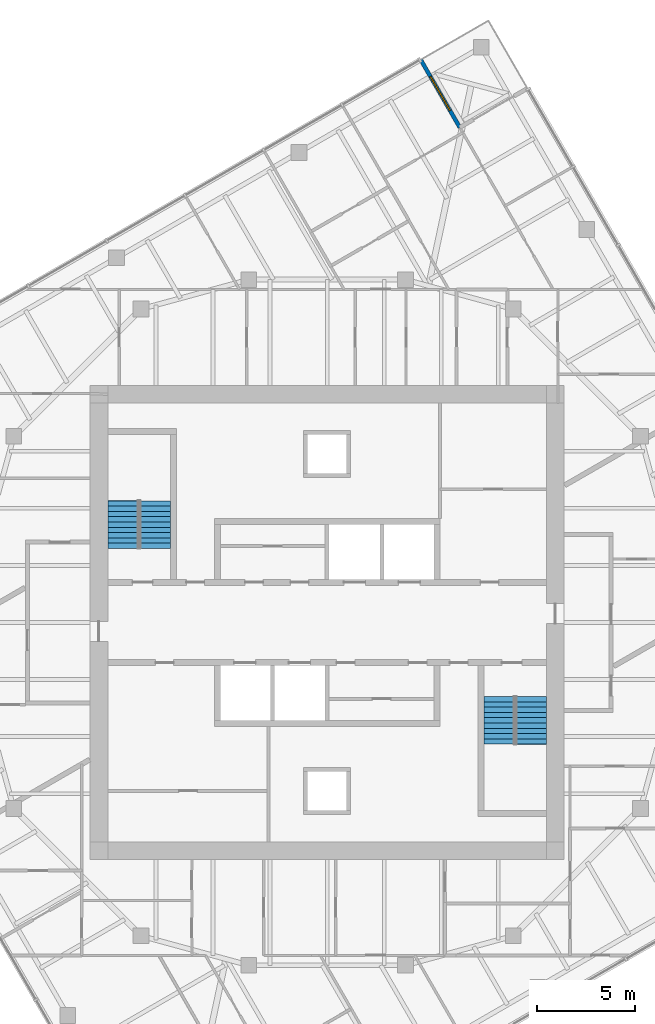
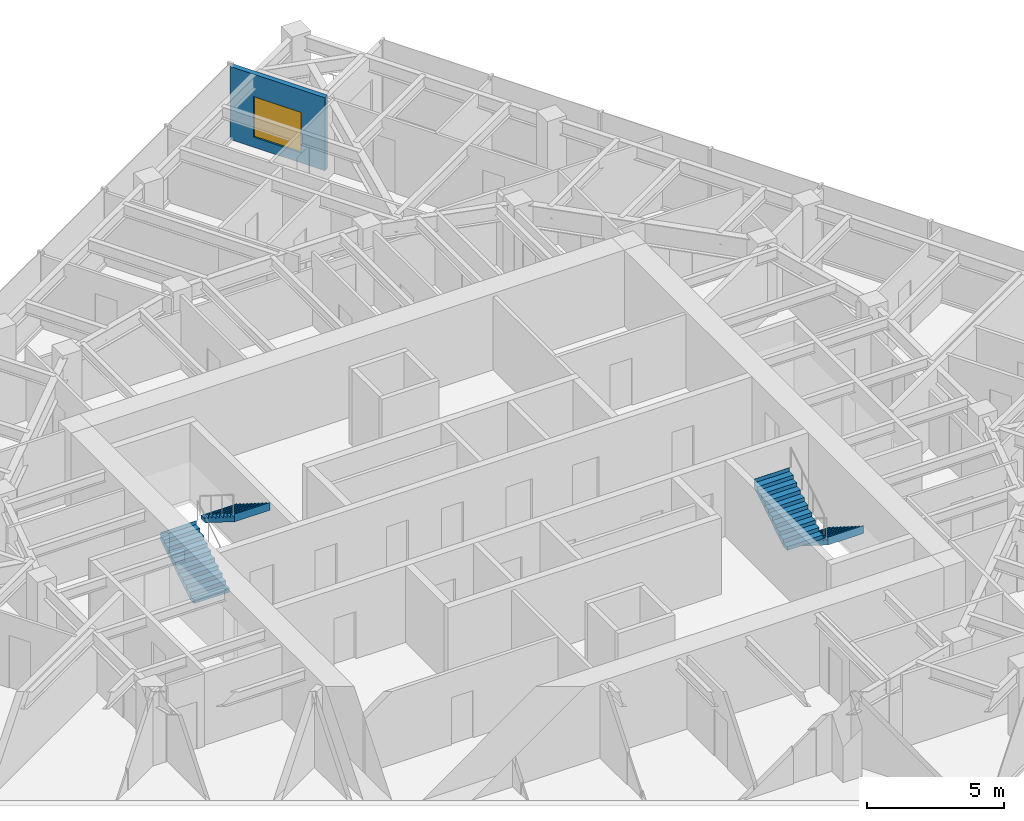
# One storey, part 12 of 13: 4 stair flights, 1 wall, 1 window, 1 opening, 2 elements without a shape of their own.
"""IFC4 building model written with IfcOpenShell, lengths in metres."""

from ifc_helpers import new_model, si_unit, direction, frame, frame_2d, origin, place, context, subcontext, project, spatial, polyline, rectangle, outline, extrude, material, layer, layer_set, type_object, element, fill, aggregate, save


model = new_model("IFC4")

# Units and contexts
model_context = context("Model", 3, precision=1e-05, world=origin(), true_north=direction((0.0, 1.0)))
body_context = subcontext(model_context, "Body", "Model", "MODEL_VIEW")
ifc_project = project(units=[si_unit("LENGTHUNIT", "METRE"), si_unit("AREAUNIT", "SQUARE_METRE"), si_unit("VOLUMEUNIT", "CUBIC_METRE"), si_unit("PLANEANGLEUNIT", "RADIAN"), si_unit("MASSUNIT", "GRAM", prefix="KILO")], contexts=[model_context])

# Site, building, storey
site_placement = place(None, origin())
site = spatial("IfcSite", under=ifc_project, at=site_placement, CompositionType="ELEMENT")
building_placement = place(site_placement, origin())
building = spatial("IfcBuilding", under=site, at=building_placement, Name="Torsade Residences", CompositionType="ELEMENT")
storey_placement = place(building_placement, frame((0.0, 0.0, 215.0)))
storey = spatial("IfcBuildingStorey", under=building, at=storey_placement, Name="L59", CompositionType="ELEMENT", Elevation=215.0)

# Wall, opening, window
ifc_material_1 = material(Name="Stone-faced precast concrete 40 MPa panel", Category="masonry")
ifc_layer = layer(ifc_material_1, 0.199951171875)
ifc_layer_set = layer_set([ifc_layer], Name="Stone-faced precast concrete 40 MPa panel")
wall_type = type_object("IfcWallType", Name="TERRACE WALL 200", PredefinedType="SOLIDWALL", material=ifc_layer_set)
wall_placement = place(storey_placement, frame((46.771484375, 55.271484375, 0.0), z_axis=(0.0, 0.0, 1.0), x_axis=(-0.49999894854, 0.866026010844, 0.0)))
wall = element("IfcWall", 1, at=wall_placement, inside=storey, type_object=wall_type, Name="Terrace wall L59 6", PredefinedType="SOLIDWALL", context=body_context, shape_type="SweptSolid", body=[
    extrude(rectangle(XDim=4.0, YDim=0.199951171875, at=frame_2d((2.0, 0.0))), origin(), (0.0, 0.0, 1.0), 3.25),
])
opening_placement = place(wall_placement, frame((1.0, 0.0, 0.449951171875)))
opening = element("IfcOpeningElement", 2, at=opening_placement, cuts=wall, Name="Opening W1B", PredefinedType="OPENING", context=body_context, shape_type="SweptSolid", body=[
    extrude(rectangle(XDim=2.0, YDim=1.800048828125, at=frame_2d((1.0, 0.89990234375))), frame((0.0, 0.10986328125, 0.0), z_axis=(0.0, -1.0, 0.0), x_axis=(1.0, 0.0, 0.0)), (0.0, 0.0, 1.0), 0.219970703125),
])
ifc_material_2 = material(Name="Aluminium-framed glass window", Category="aluminium")
window_type = type_object("IfcWindowType", Name="TERRACE WINDOW 2000x1800", PartitioningType="SINGLE_PANEL", PredefinedType="WINDOW", material=ifc_material_2)
window_placement = place(opening_placement, origin())
window = element("IfcWindow", 3, at=window_placement, inside=storey, type_object=window_type, Name="Terrace window L59 6", OverallHeight=1.800048828125, OverallWidth=2.0, PartitioningType="SINGLE_PANEL", PredefinedType="WINDOW", context=body_context, shape_type="SweptSolid", body=[
    extrude(rectangle(XDim=2.0, YDim=1.800048828125, at=frame_2d((1.0, 0.89990234375))), frame((0.0, 0.030029296875, 0.0), z_axis=(0.0, -1.0, 0.0), x_axis=(1.0, 0.0, 0.0)), (0.0, 0.0, 1.0), 0.06005859375),
])
fill(opening, window)

# Stair, stair flights
ifc_material_3 = material(Name="Precast concrete 40 MPa", Category="concrete")
stair_type = type_object("IfcStairType", Name="HALF-TURN FIRE STAIR 1500x3400", PredefinedType="HALF_TURN_STAIR", material=ifc_material_3)
stair_1_placement = place(storey_placement, origin())
stair_1 = element("IfcStair", 4, at=stair_1_placement, inside=storey, type_object=stair_type, Name="Stair ST1 L59", PredefinedType="HALF_TURN_STAIR")
ifc_material_4 = material(Name="Precast concrete 40 MPa", Category="concrete")
stair_flight_type = type_object("IfcStairFlightType", Name="PRECAST STAIR FLIGHT 1500x1700", PredefinedType="STRAIGHT", material=ifc_material_4)
stair_flight_1_placement = place(storey_placement, frame((29.550048828125, 33.780029296875, 0.0), z_axis=(0.0, 0.0, 1.0), x_axis=(0.0, 1.0, 0.0)))
stair_flight_1 = element("IfcStairFlight", 5, at=stair_flight_1_placement, type_object=stair_flight_type, Name="ST1 flight 1", NumberOfRisers=10, NumberOfTreads=9, PredefinedType="STRAIGHT", RiserHeight=0.17, TreadLength=0.27, context=body_context, shape_type="SweptSolid", body=[
    extrude(outline(polyline([(0.0, 0.0), (0.0, 0.169921875), (0.27001953125, 0.169921875), (0.27001953125, 0.340087890625), (0.5400390625, 0.340087890625), (0.5400390625, 0.510009765625), (0.81005859375, 0.510009765625), (0.81005859375, 0.679931640625), (1.080078125, 0.679931640625), (1.080078125, 0.85009765625), (1.35009765625, 0.85009765625), (1.35009765625, 1.02001953125), (1.6201171875, 1.02001953125), (1.6201171875, 1.18994140625), (1.889892578125, 1.18994140625), (1.889892578125, 1.360107421875), (2.159912109375, 1.360107421875), (2.159912109375, 1.530029296875), (2.429931640625, 1.530029296875), (2.429931640625, 1.699951171875), (2.43994140625, 1.699951171875), (2.43994140625, 1.352783203125), (2.429931640625, 1.352783203125), (0.28125, 0.0), (0.0, 0.0)])), frame((0.0, 0.75, 0.0), z_axis=(0.0, -1.0, 0.0), x_axis=(1.0, 0.0, 0.0)), (0.0, 0.0, 1.0), 1.5),
])
stair_flight_2_placement = place(storey_placement, frame((31.25, 36.2099609375, 1.699951171875), z_axis=(0.0, 0.0, 1.0), x_axis=(0.0, -1.0, 0.0)))
stair_flight_2 = element("IfcStairFlight", 6, at=stair_flight_2_placement, type_object=stair_flight_type, Name="ST1 flight 2", NumberOfRisers=10, NumberOfTreads=9, PredefinedType="STRAIGHT", RiserHeight=0.17, TreadLength=0.27, context=body_context, shape_type="SweptSolid", body=[
    extrude(outline(polyline([(0.0, 0.0), (0.0, 0.169921875), (0.27001953125, 0.169921875), (0.27001953125, 0.340087890625), (0.5400390625, 0.340087890625), (0.5400390625, 0.510009765625), (0.81005859375, 0.510009765625), (0.81005859375, 0.679931640625), (1.080078125, 0.679931640625), (1.080078125, 0.85009765625), (1.35009765625, 0.85009765625), (1.35009765625, 1.02001953125), (1.6201171875, 1.02001953125), (1.6201171875, 1.18994140625), (1.889892578125, 1.18994140625), (1.889892578125, 1.360107421875), (2.159912109375, 1.360107421875), (2.159912109375, 1.530029296875), (2.429931640625, 1.530029296875), (2.429931640625, 1.699951171875), (2.43994140625, 1.699951171875), (2.43994140625, 1.352783203125), (2.429931640625, 1.352783203125), (0.28125, 0.0), (0.0, 0.0)])), frame((0.0, 0.75, 0.0), z_axis=(0.0, -1.0, 0.0), x_axis=(1.0, 0.0, 0.0)), (0.0, 0.0, 1.0), 1.5),
])
aggregate(stair_1, [stair_flight_1, stair_flight_2])

stair_2_placement = place(storey_placement, origin())
stair_2 = element("IfcStair", 7, at=stair_2_placement, inside=storey, type_object=stair_type, Name="Stair ST2 L59", PredefinedType="HALF_TURN_STAIR")
stair_flight_3_placement = place(storey_placement, frame((50.449951171875, 26.219970703125, 0.0), z_axis=(0.0, 0.0, 1.0), x_axis=(0.0, -1.0, 0.0)))
stair_flight_3 = element("IfcStairFlight", 8, at=stair_flight_3_placement, type_object=stair_flight_type, Name="ST2 flight 1", NumberOfRisers=10, NumberOfTreads=9, PredefinedType="STRAIGHT", RiserHeight=0.17, TreadLength=0.27, context=body_context, shape_type="SweptSolid", body=[
    extrude(outline(polyline([(0.0, 0.0), (0.0, 0.169921875), (0.27001953125, 0.169921875), (0.27001953125, 0.340087890625), (0.5400390625, 0.340087890625), (0.5400390625, 0.510009765625), (0.81005859375, 0.510009765625), (0.81005859375, 0.679931640625), (1.080078125, 0.679931640625), (1.080078125, 0.85009765625), (1.35009765625, 0.85009765625), (1.35009765625, 1.02001953125), (1.6201171875, 1.02001953125), (1.6201171875, 1.18994140625), (1.889892578125, 1.18994140625), (1.889892578125, 1.360107421875), (2.159912109375, 1.360107421875), (2.159912109375, 1.530029296875), (2.429931640625, 1.530029296875), (2.429931640625, 1.699951171875), (2.43994140625, 1.699951171875), (2.43994140625, 1.352783203125), (2.429931640625, 1.352783203125), (0.28125, 0.0), (0.0, 0.0)])), frame((0.0, 0.75, 0.0), z_axis=(0.0, -1.0, 0.0), x_axis=(1.0, 0.0, 0.0)), (0.0, 0.0, 1.0), 1.5),
])
stair_flight_4_placement = place(storey_placement, frame((48.75, 23.7900390625, 1.699951171875), z_axis=(0.0, 0.0, 1.0), x_axis=(0.0, 1.0, 0.0)))
stair_flight_4 = element("IfcStairFlight", 9, at=stair_flight_4_placement, type_object=stair_flight_type, Name="ST2 flight 2", NumberOfRisers=10, NumberOfTreads=9, PredefinedType="STRAIGHT", RiserHeight=0.17, TreadLength=0.27, context=body_context, shape_type="SweptSolid", body=[
    extrude(outline(polyline([(0.0, 0.0), (0.0, 0.169921875), (0.27001953125, 0.169921875), (0.27001953125, 0.340087890625), (0.5400390625, 0.340087890625), (0.5400390625, 0.510009765625), (0.81005859375, 0.510009765625), (0.81005859375, 0.679931640625), (1.080078125, 0.679931640625), (1.080078125, 0.85009765625), (1.35009765625, 0.85009765625), (1.35009765625, 1.02001953125), (1.6201171875, 1.02001953125), (1.6201171875, 1.18994140625), (1.889892578125, 1.18994140625), (1.889892578125, 1.360107421875), (2.159912109375, 1.360107421875), (2.159912109375, 1.530029296875), (2.429931640625, 1.530029296875), (2.429931640625, 1.699951171875), (2.43994140625, 1.699951171875), (2.43994140625, 1.352783203125), (2.429931640625, 1.352783203125), (0.28125, 0.0), (0.0, 0.0)])), frame((0.0, 0.75, 0.0), z_axis=(0.0, -1.0, 0.0), x_axis=(1.0, 0.0, 0.0)), (0.0, 0.0, 1.0), 1.5),
])
aggregate(stair_2, [stair_flight_3, stair_flight_4])

save(model, "model.ifc")
